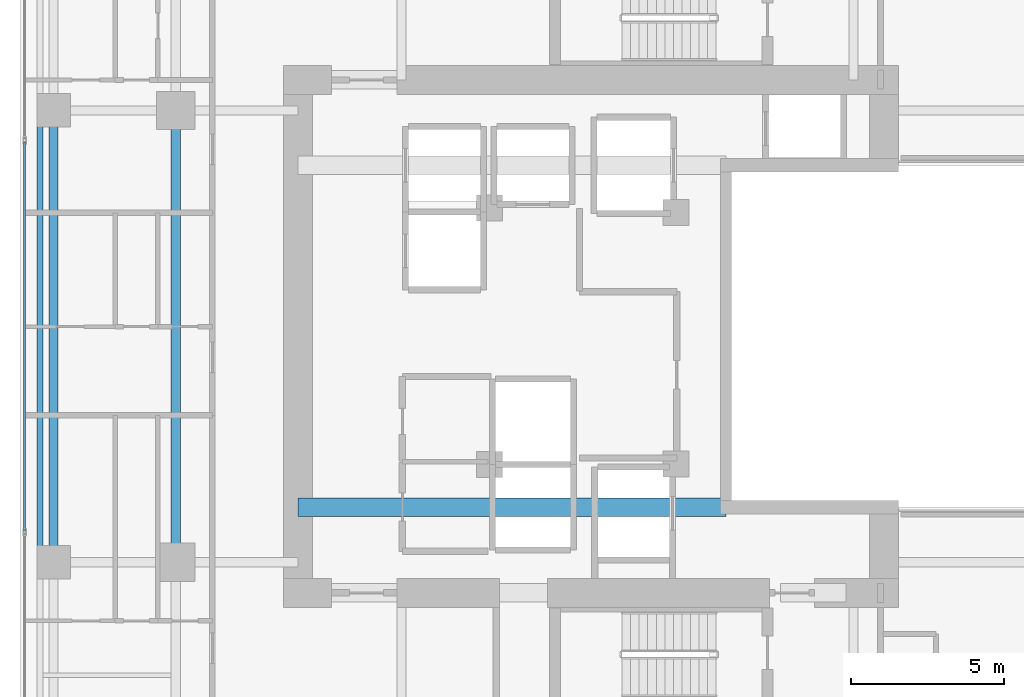
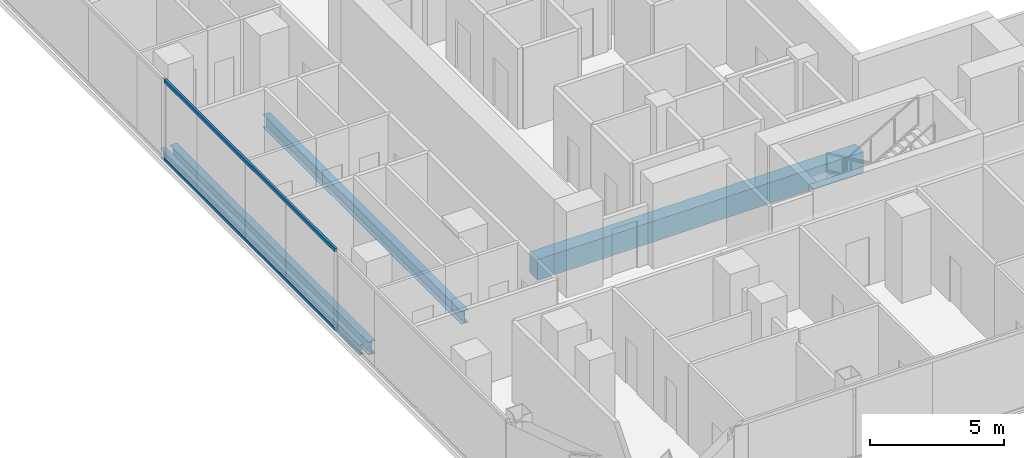
# One storey, part 7 of 29: 4 beams, 2 members, 1 element without a shape of its own.
"""IFC4 building model written with IfcOpenShell, lengths in metres."""

from ifc_helpers import new_model, si_unit, direction, frame, origin, origin_2d, place, context, subcontext, project, spatial, rectangle, hollow_rectangle, i_section, extrude, material, layer, layer_set, material_profile, profile_set, type_object, element, aggregate, save


model = new_model("IFC4")

# Units and contexts
model_context = context("Model", 3, precision=1e-05, world=origin(), true_north=direction((0.0, 1.0)))
body_context = subcontext(model_context, "Body", "Model", "MODEL_VIEW")
ifc_project = project(units=[si_unit("LENGTHUNIT", "METRE"), si_unit("AREAUNIT", "SQUARE_METRE"), si_unit("VOLUMEUNIT", "CUBIC_METRE"), si_unit("PLANEANGLEUNIT", "RADIAN"), si_unit("MASSUNIT", "GRAM", prefix="KILO")], contexts=[model_context])

# Site, building, storey
site_placement = place(None, origin())
site = spatial("IfcSite", under=ifc_project, at=site_placement, CompositionType="ELEMENT")
building_placement = place(site_placement, origin())
building = spatial("IfcBuilding", under=site, at=building_placement, Name="Khorvyn Point Tower", CompositionType="ELEMENT")
storey_placement = place(building_placement, frame((0.0, 0.0, 140.699951171875)))
storey = spatial("IfcBuildingStorey", under=building, at=storey_placement, Name="L35", CompositionType="ELEMENT", Elevation=140.699951171875)

# Curtain wall, members
ifc_material_1 = material(Name="Anodised aluminium 6063-T6 and laminated Low-E glass", Category="aluminium")
ifc_layer = layer(ifc_material_1, 0.18994140625)
ifc_layer_set = layer_set([ifc_layer], Name="Stick-Built Acoustic Curtain Wall CW-SYS-03")
curtain_wall_type = type_object("IfcCurtainWallType", Name="Stick-Built Acoustic Curtain Wall CW-SYS-03", PredefinedType="NOTDEFINED", material=ifc_layer_set)
curtain_wall_placement = place(storey_placement, origin())
curtain_wall = element("IfcCurtainWall", 1, at=curtain_wall_placement, inside=storey, type_object=curtain_wall_type, Name="Curtain Wall", PredefinedType="NOTDEFINED")
ifc_material_2 = material(Name="Anodised aluminium 6063-T6", Category="aluminium")
ifc_material_profile_1 = material_profile(ifc_material_2, hollow_rectangle(XDim=0.10009765625, YDim=0.159912109375, WallThickness=0.00439453125, at=origin_2d()))
ifc_profile_set_1 = profile_set([ifc_material_profile_1], Name="Anodised aluminium 6063-T6 ALU-TRN-100x160")
member_type = type_object("IfcMemberType", Name="Anodised Aluminium 6063-T6 Transom ALU-TRN-100x160", PredefinedType="USERDEFINED", material=ifc_profile_set_1)
member_1_placement = place(storey_placement, frame((-19.75, -6.36669921875, 0.050048828125), z_axis=(0.0, 1.0, 0.0), x_axis=(-1.0, 0.0, 0.0)))
member_1 = element("IfcMember", 2, at=member_1_placement, type_object=member_type, Name="Transom", ObjectType="TRANSOM", PredefinedType="USERDEFINED", context=body_context, shape_type="SweptSolid", body=[
    extrude(hollow_rectangle(XDim=0.10009765625, YDim=0.159912109375, WallThickness=0.00439453125, at=origin_2d()), origin(), (0.0, 0.0, 1.0), 12.7333984375),
])
member_2_placement = place(storey_placement, frame((-19.75, -6.36669921875, 3.630126953125), z_axis=(0.0, 1.0, 0.0), x_axis=(-1.0, 0.0, 0.0)))
member_2 = element("IfcMember", 3, at=member_2_placement, type_object=member_type, Name="Transom", ObjectType="TRANSOM", PredefinedType="USERDEFINED", context=body_context, shape_type="SweptSolid", body=[
    extrude(hollow_rectangle(XDim=0.10009765625, YDim=0.159912109375, WallThickness=0.00439453125, at=origin_2d()), origin(), (0.0, 0.0, 1.0), 12.7333984375),
])
aggregate(curtain_wall, [member_1, member_2])

# Beams
ifc_material_3 = material(Name="Concrete C50/60", Category="concrete")
ifc_material_profile_2 = material_profile(ifc_material_3, rectangle(XDim=0.60009765625, YDim=0.949951171875, at=origin_2d()))
ifc_profile_set_2 = profile_set([ifc_material_profile_2], Name="Concrete C50/60 RC600x950")
beam_type_1 = type_object("IfcBeamType", Name="Concrete C50/60 Beam RC600x950", PredefinedType="BEAM", material=ifc_profile_set_2)
beam_1_placement = place(storey_placement, frame((-10.800048828125, -5.60009765625, -0.695068359375), z_axis=(1.0, 0.0, 0.0), x_axis=(0.0, 1.0, 0.0)))
element("IfcBeam", 4, at=beam_1_placement, inside=storey, type_object=beam_type_1, Name="L35 Core Internal Tie Girder S", PredefinedType="BEAM", context=body_context, shape_type="SweptSolid", body=[
    extrude(rectangle(XDim=0.60009765625, YDim=0.949951171875, at=origin_2d()), origin(), (0.0, 0.0, 1.0), 14.02001953125),
])
ifc_material_4 = material(Name="Steel S355", Category="steel")
ifc_material_profile_3 = material_profile(ifc_material_4, i_section(OverallWidth=0.300048828125, OverallDepth=0.587890625, WebThickness=0.011962890625, FlangeThickness=0.02001953125, at=origin_2d()))
ifc_profile_set_3 = profile_set([ifc_material_profile_3], Name="Steel S355 H588x300x12x20")
beam_type_2 = type_object("IfcBeamType", Name="Steel S355 Beam H588x300x12x20", PredefinedType="BEAM", material=ifc_profile_set_3)
for number, where, z_axis, x_axis, name in (
    (5, (-14.800048828125, -7.39990234375, -0.513916015625), (0.0, 1.0, 0.0), (-1.0, 0.0, 0.0), "Beam"),
    (6, (-18.800048828125, -7.39990234375, -0.513916015625), (0.0, 1.0, 0.0), (-1.0, 0.0, 0.0), "Beam"),
):
    element("IfcBeam", number, at=place(storey_placement, frame(where, z_axis=z_axis, x_axis=x_axis)), inside=storey, type_object=beam_type_2, Name=name, PredefinedType="BEAM", context=body_context, shape_type="SweptSolid", body=[
        extrude(i_section(OverallWidth=0.300048828125, OverallDepth=0.587890625, WebThickness=0.011962890625, FlangeThickness=0.02001953125, at=origin_2d()), origin(), (0.0, 0.0, 1.0), 14.7998046875),
    ])
ifc_material_profile_4 = material_profile(ifc_material_4, i_section(OverallWidth=0.199951171875, OverallDepth=0.449951171875, WebThickness=0.009033203125, FlangeThickness=0.013916015625, at=origin_2d()))
ifc_profile_set_4 = profile_set([ifc_material_profile_4], Name="Steel S355 H450x200x9x14")
beam_type_3 = type_object("IfcBeamType", Name="Steel S355 Spandrel H450x200x9x14", PredefinedType="SPANDREL", material=ifc_profile_set_4)
beam_2_placement = place(storey_placement, frame((-19.25, -7.39990234375, -0.445068359375), z_axis=(0.0, 1.0, 0.0), x_axis=(-1.0, 0.0, 0.0)))
element("IfcBeam", 7, at=beam_2_placement, inside=storey, type_object=beam_type_3, Name="Beam", PredefinedType="SPANDREL", context=body_context, shape_type="SweptSolid", body=[
    extrude(i_section(OverallWidth=0.199951171875, OverallDepth=0.449951171875, WebThickness=0.009033203125, FlangeThickness=0.013916015625, at=origin_2d()), origin(), (0.0, 0.0, 1.0), 14.7998046875),
])

save(model, "model.ifc")
